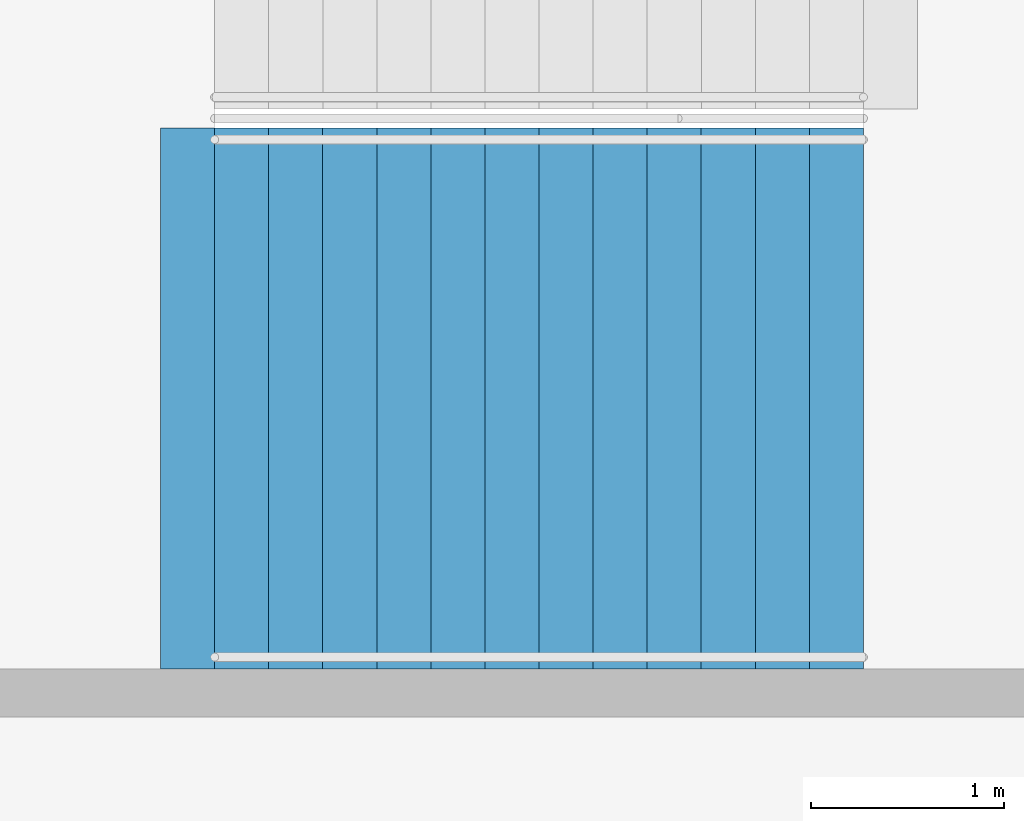
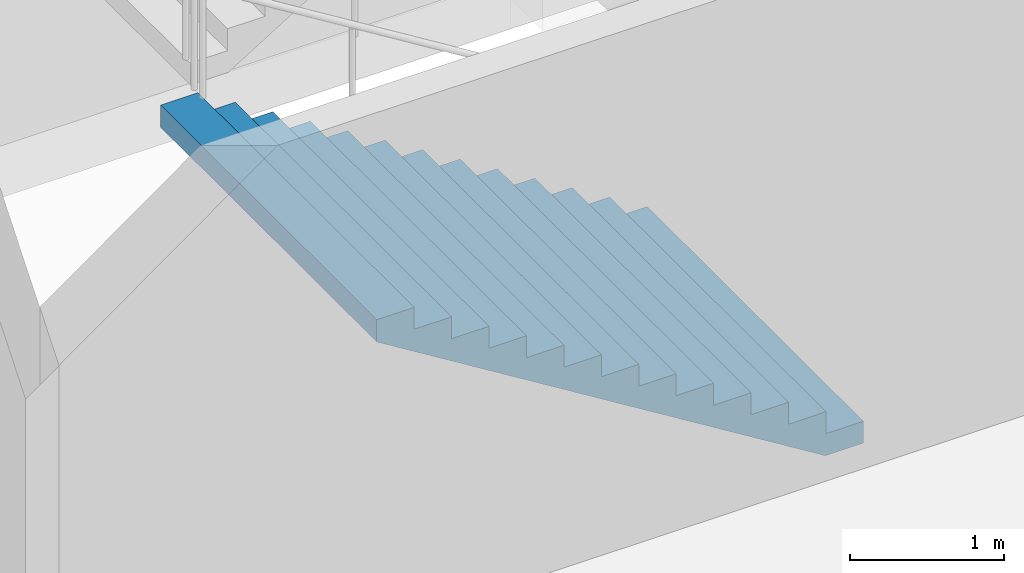
# One storey, part 151 of 199: 1 stair flight, 1 element without a shape of its own.
"""IFC4 building model written with IfcOpenShell, lengths in metres."""

import ifcopenshell
import ifcopenshell.guid

model = None  # the IFC model being written
_history = None  # IfcOwnerHistory: only IFC2X3 demands one
_inside = {}  # id of a spatial element -> (the spatial element, [elements in it])
_under = {}  # id of a project, library or spatial element -> (it, [spatial elements below it])
_declared = {}  # id of a project -> (the project, [libraries it declares])
_typed = {}  # id of a type object -> (the type object, [elements of that type])
_made_of = {}  # id of a material, layer set ... -> (it, [elements and type objects made of it])


def new_model(schema):
    """Start an empty IFC model of exactly this schema.

    Asked for "IFC4X3", IfcOpenShell would pick the latest addendum, in which some entities
    have other attributes; the version numbers below select the first issue.
    IFC2X3 requires an IfcOwnerHistory on every rooted entity: one is made here for all.
    """
    global model, _history
    if schema == "IFC4X3":
        model = ifcopenshell.file(schema_version=(4, 3, 0, 0))
    else:
        model = ifcopenshell.file(schema=schema)
    _inside.clear()
    _under.clear()
    _declared.clear()
    _typed.clear()
    _made_of.clear()
    _history = None
    if model.schema == "IFC2X3":
        org = make("IfcOrganization", Name="unknown")
        user = make(
            "IfcPersonAndOrganization",
            ThePerson=make("IfcPerson", FamilyName="unknown"),
            TheOrganization=org,
        )
        app = make(
            "IfcApplication",
            ApplicationDeveloper=org,
            Version="unknown",
            ApplicationFullName="unknown",
            ApplicationIdentifier="unknown",
        )
        _history = make(
            "IfcOwnerHistory",
            OwningUser=user,
            OwningApplication=app,
            ChangeAction="ADDED",
            CreationDate=0,
        )
    return model


def make(cls, **values):
    """One entity of the class cls with the attributes given. An attribute that is None is left unset."""
    return model.create_entity(
        cls, **{name: value for name, value in values.items() if value is not None}
    )


def rooted(cls, **values):
    """An entity with a GlobalId (a new one), such as an element, a storey or a relation."""
    return make(cls, GlobalId=ifcopenshell.guid.new(), OwnerHistory=_history, **values)


def si_unit(unit_type, name, prefix=None):
    """IfcSIUnit, for example si_unit("LENGTHUNIT", "METRE", prefix="MILLI")."""
    return make("IfcSIUnit", UnitType=unit_type, Prefix=prefix, Name=name)


def assignment(units):
    """IfcUnitAssignment: the units of a project."""
    return None if units is None else make("IfcUnitAssignment", Units=units)


def point(xyz):
    """IfcCartesianPoint."""
    return None if xyz is None else make("IfcCartesianPoint", Coordinates=xyz)


def direction(xyz):
    """IfcDirection."""
    return None if xyz is None else make("IfcDirection", DirectionRatios=xyz)


def frame(location, z_axis=None, x_axis=None):
    """IfcAxis2Placement3D, a coordinate frame: its origin and axes. An axis left out is left unset."""
    return make(
        "IfcAxis2Placement3D",
        Location=point(location),
        Axis=direction(z_axis),
        RefDirection=direction(x_axis),
    )


def origin():
    """The frame at (0, 0, 0) with its axes left unset."""
    return frame((0.0, 0.0, 0.0))


def place(relative_to, where):
    """IfcLocalPlacement: puts the frame where relative to a parent placement (None: the world)."""
    return make(
        "IfcLocalPlacement", PlacementRelTo=relative_to, RelativePlacement=where
    )


def context(
    kind, dimensions, precision=None, world=None, true_north=None, identifier=None
):
    """IfcGeometricRepresentationContext, for example the 3D "Model" context."""
    return make(
        "IfcGeometricRepresentationContext",
        ContextIdentifier=identifier,
        ContextType=kind,
        CoordinateSpaceDimension=dimensions,
        Precision=precision,
        WorldCoordinateSystem=world,
        TrueNorth=true_north,
    )


def subcontext(parent, identifier, kind, view, scale=None):
    """IfcGeometricRepresentationSubContext, for example "Body" below "Model"."""
    return make(
        "IfcGeometricRepresentationSubContext",
        ContextIdentifier=identifier,
        ContextType=kind,
        ParentContext=parent,
        TargetScale=scale,
        TargetView=view,
    )


def project(units=None, contexts=None):
    """IfcProject with its units and contexts."""
    return rooted(
        "IfcProject",
        Name="project",
        RepresentationContexts=contexts,
        UnitsInContext=assignment(units),
    )


def spatial(cls, under=None, at=None, **own):
    """A site, building, storey or space (cls), placed at a placement, below another one or the project."""
    s = rooted(cls, ObjectPlacement=at, **own)
    if under is not None:
        _under.setdefault(under.id(), (under, []))[1].append(s)
    return s


def faces_of(points, faces, orient=None, outer=None):
    """IfcFace entities. A face is a list of loops; a loop is a list of indices into points, from 0.

    orient and outer hold one flag for each loop. By default every Orientation is true, the
    first loop of a face is its IfcFaceOuterBound and the others are IfcFaceBound.
    """
    made = []
    for i, loops in enumerate(faces):
        bounds = []
        for j, loop in enumerate(loops):
            is_outer = j == 0 if outer is None else outer[i][j]
            bounds.append(
                make(
                    "IfcFaceOuterBound" if is_outer else "IfcFaceBound",
                    Bound=make("IfcPolyLoop", Polygon=[points[k] for k in loop]),
                    Orientation=True if orient is None else orient[i][j],
                )
            )
        made.append(make("IfcFace", Bounds=bounds))
    return made


def faceted_brep(points, faces, orient=None, outer=None, voids=None):
    """IfcFacetedBrep: a solid bounded by flat faces; with voids (closed shells), ...WithVoids."""
    shared = [point(p) for p in points]
    hull = make("IfcClosedShell", CfsFaces=faces_of(shared, faces, orient, outer))
    if voids is None:
        return make("IfcFacetedBrep", Outer=hull)
    return make(
        "IfcFacetedBrepWithVoids",
        Outer=hull,
        Voids=[
            make(cls, CfsFaces=faces_of(shared, fs, o, b)) for cls, fs, o, b in voids
        ],
    )


def shape(context_of_items, identifier, shape_type, items):
    """IfcShapeRepresentation: the items that make up one representation, for example the "Body"."""
    return make(
        "IfcShapeRepresentation",
        ContextOfItems=context_of_items,
        RepresentationIdentifier=identifier,
        RepresentationType=shape_type,
        Items=items,
    )


def material(Name=None, Category=None):
    """IfcMaterial."""
    return make("IfcMaterial", Name=Name, Category=Category)


def made_of(thing, what):
    """Note that an element or type object is made of a material, layer set ...; save() writes the relation."""
    if what is not None:
        _made_of.setdefault(what.id(), (what, []))[1].append(thing)
    return thing


def type_object(cls, material=None, **own):
    """A type object (cls), such as IfcWallType, which elements share."""
    return made_of(rooted(cls, **own), material)


def element(
    cls,
    number,
    at=None,
    inside=None,
    cuts=None,
    type_object=None,
    material=None,
    context=None,
    identifier="Body",
    shape_type=None,
    held_by="IfcProductDefinitionShape",
    body=None,
    shapes=None,
    **own,
):
    """One element of the class cls, such as IfcWall. Its Tag is "e" and its number.

    at: its placement. inside: the storey or other place that contains it. cuts: it is an
    opening in that element (IfcRelVoidsElement). A single representation is given by context,
    identifier, shape_type and body (its items); several are given by shapes. held_by: the class
    of the entity that holds the representations. save() writes the other relations.
    """
    e = rooted(cls, Tag="e%d" % number, ObjectPlacement=at, **own)
    if body is not None:
        shapes = [shape(context, identifier, shape_type, body)]
    if shapes is not None:
        e.Representation = make(held_by, Representations=shapes)
    if inside is not None:
        _inside.setdefault(inside.id(), (inside, []))[1].append(e)
    if cuts is not None:
        rooted(
            "IfcRelVoidsElement", RelatingBuildingElement=cuts, RelatedOpeningElement=e
        )
    if type_object is not None:
        _typed.setdefault(type_object.id(), (type_object, []))[1].append(e)
    return made_of(e, material)


def aggregate(whole, parts):
    """IfcRelAggregates: a whole, such as a stair, and the parts it consists of."""
    return rooted("IfcRelAggregates", RelatingObject=whole, RelatedObjects=parts)


def save(model, path):
    """Write the relations noted so far, then the file.

    IfcRelAggregates (storeys below a building ...), IfcRelContainedInSpatialStructure (elements
    in a storey), IfcRelDefinesByType, IfcRelAssociatesMaterial and IfcRelDeclares: one each for
    every whole, place, type object, material and project.
    """
    for whole, parts in _under.values():
        aggregate(whole, parts)
    for where, things in _inside.values():
        rooted(
            "IfcRelContainedInSpatialStructure",
            RelatedElements=things,
            RelatingStructure=where,
        )
    for kind, things in _typed.values():
        rooted("IfcRelDefinesByType", RelatedObjects=things, RelatingType=kind)
    for what, things in _made_of.values():
        rooted("IfcRelAssociatesMaterial", RelatedObjects=things, RelatingMaterial=what)
    for by, libraries in _declared.values():
        rooted("IfcRelDeclares", RelatingContext=by, RelatedDefinitions=libraries)
    model.write(path)


model = new_model("IFC4")

# Units and contexts
model_context = context("Model", 3, precision=1e-05, world=origin(), true_north=direction((0.0, 1.0)))
body_context = subcontext(model_context, "Body", "Model", "MODEL_VIEW")
ifc_project = project(units=[si_unit("LENGTHUNIT", "METRE"), si_unit("AREAUNIT", "SQUARE_METRE"), si_unit("VOLUMEUNIT", "CUBIC_METRE"), si_unit("PLANEANGLEUNIT", "RADIAN"), si_unit("MASSUNIT", "GRAM", prefix="KILO")], contexts=[model_context])

# Site, building, storey
site_placement = place(None, origin())
site = spatial("IfcSite", under=ifc_project, at=site_placement, CompositionType="ELEMENT")
building_placement = place(site_placement, origin())
building = spatial("IfcBuilding", under=site, at=building_placement, Name="Ogive Plaza Stadium", CompositionType="ELEMENT")
storey_placement = place(building_placement, frame((0.0, 0.0, 9.0)))
storey = spatial("IfcBuildingStorey", under=building, at=storey_placement, Name="L02", CompositionType="ELEMENT", Elevation=9.0)

# Stair, stair flight
ifc_material_1 = material(Name="Concrete C40/50", Category="concrete")
stair_type = type_object("IfcStairType", Name="Exit stair", PredefinedType="STRAIGHT_RUN_STAIR", material=ifc_material_1)
stair_placement = place(storey_placement, origin())
stair = element("IfcStair", 1, at=stair_placement, inside=storey, type_object=stair_type, Name="Exit stair ST28B L02 to L03", PredefinedType="STRAIGHT_RUN_STAIR")
ifc_material_2 = material(Name="Concrete C40/50", Category="concrete")
stair_flight_type = type_object("IfcStairFlightType", Name="Exit stair flight", PredefinedType="STRAIGHT", material=ifc_material_2)
stair_flight_placement = place(storey_placement, frame((-76.35009765625, 48.074951171875, 0.0), z_axis=(0.0, 0.0, 1.0), x_axis=(-1.0, 0.0, 0.0)))
stair_flight = element("IfcStairFlight", 2, at=stair_flight_placement, type_object=stair_flight_type, Name="ST28B flight 1", NumberOfRisers=13, NumberOfTreads=12, PredefinedType="STRAIGHT", RiserHeight=0.173076923, TreadLength=0.28, context=body_context, shape_type="Brep", body=[
    faceted_brep([(0.28515625, -1.39990234375, 0.0), (3.639892578125, -1.39990234375, 2.07373046875), (3.639892578125, -1.39990234375, 2.25), (3.360107421875, -1.39990234375, 2.25), (3.360107421875, -1.39990234375, 2.076904296875), (3.080078125, -1.39990234375, 2.076904296875), (3.080078125, -1.39990234375, 1.90380859375), (2.800048828125, -1.39990234375, 1.90380859375), (2.800048828125, -1.39990234375, 1.730712890625), (2.52001953125, -1.39990234375, 1.730712890625), (2.52001953125, -1.39990234375, 1.5576171875), (2.239990234375, -1.39990234375, 1.5576171875), (2.239990234375, -1.39990234375, 1.384521484375), (1.9599609375, -1.39990234375, 1.384521484375), (1.9599609375, -1.39990234375, 1.21142578125), (1.679931640625, -1.39990234375, 1.21142578125), (1.679931640625, -1.39990234375, 1.03857421875), (1.39990234375, -1.39990234375, 1.03857421875), (1.39990234375, -1.39990234375, 0.865478515625), (1.1201171875, -1.39990234375, 0.865478515625), (1.1201171875, -1.39990234375, 0.6923828125), (0.840087890625, -1.39990234375, 0.6923828125), (0.840087890625, -1.39990234375, 0.519287109375), (0.56005859375, -1.39990234375, 0.519287109375), (0.56005859375, -1.39990234375, 0.34619140625), (0.280029296875, -1.39990234375, 0.34619140625), (0.280029296875, -1.39990234375, 0.173095703125), (0.0, -1.39990234375, 0.173095703125), (0.0, -1.39990234375, 0.0), (0.0, 1.39990234375, 0.0), (0.0, 1.39990234375, 0.173095703125), (0.280029296875, 1.39990234375, 0.173095703125), (0.280029296875, 1.39990234375, 0.34619140625), (0.56005859375, 1.39990234375, 0.34619140625), (0.56005859375, 1.39990234375, 0.519287109375), (0.840087890625, 1.39990234375, 0.519287109375), (0.840087890625, 1.39990234375, 0.6923828125), (1.1201171875, 1.39990234375, 0.6923828125), (1.1201171875, 1.39990234375, 0.865478515625), (1.39990234375, 1.39990234375, 0.865478515625), (1.39990234375, 1.39990234375, 1.03857421875), (1.679931640625, 1.39990234375, 1.03857421875), (1.679931640625, 1.39990234375, 1.21142578125), (1.9599609375, 1.39990234375, 1.21142578125), (1.9599609375, 1.39990234375, 1.384521484375), (2.239990234375, 1.39990234375, 1.384521484375), (2.239990234375, 1.39990234375, 1.5576171875), (2.52001953125, 1.39990234375, 1.5576171875), (2.52001953125, 1.39990234375, 1.730712890625), (2.800048828125, 1.39990234375, 1.730712890625), (2.800048828125, 1.39990234375, 1.90380859375), (3.080078125, 1.39990234375, 1.90380859375), (3.080078125, 1.39990234375, 2.076904296875), (3.360107421875, 1.39990234375, 2.076904296875), (3.360107421875, 1.39990234375, 2.25), (3.639892578125, 1.39990234375, 2.25), (3.639892578125, 1.39990234375, 2.07373046875), (0.28515625, 1.39990234375, 0.0), (0.28515625, -1.0888671875, 0.0), (3.639892578125, -1.0888671875, 2.07373046875), (0.28515625, -0.77783203125, 0.0), (3.639892578125, -0.77783203125, 2.07373046875), (0.28515625, -0.466796875, 0.0), (3.639892578125, -0.466796875, 2.07373046875), (0.28515625, -0.155517578125, 0.0), (3.639892578125, -0.155517578125, 2.07373046875), (0.28515625, 0.155517578125, 0.0), (3.639892578125, 0.155517578125, 2.07373046875), (0.28515625, 0.466796875, 0.0), (3.639892578125, 0.466796875, 2.07373046875), (0.28515625, 0.77783203125, 0.0), (3.639892578125, 0.77783203125, 2.07373046875), (0.28515625, 1.0888671875, 0.0), (3.639892578125, 1.0888671875, 2.07373046875), (3.639892578125, -1.0888671875, 2.25), (3.639892578125, -0.77783203125, 2.25), (3.639892578125, -0.466796875, 2.25), (3.639892578125, -0.155517578125, 2.25), (3.639892578125, 0.155517578125, 2.25), (3.639892578125, 0.466796875, 2.25), (3.639892578125, 0.77783203125, 2.25), (3.639892578125, 1.0888671875, 2.25), (3.360107421875, -1.0888671875, 2.25), (3.360107421875, -0.77783203125, 2.25), (3.360107421875, -0.466796875, 2.25), (3.360107421875, -0.155517578125, 2.25), (3.360107421875, 0.155517578125, 2.25), (3.360107421875, 0.466796875, 2.25), (3.360107421875, 0.77783203125, 2.25), (3.360107421875, 1.0888671875, 2.25), (3.360107421875, -1.0888671875, 2.076904296875), (3.360107421875, -0.77783203125, 2.076904296875), (3.360107421875, -0.466796875, 2.076904296875), (3.360107421875, -0.155517578125, 2.076904296875), (3.360107421875, 0.155517578125, 2.076904296875), (3.360107421875, 0.466796875, 2.076904296875), (3.360107421875, 0.77783203125, 2.076904296875), (3.360107421875, 1.0888671875, 2.076904296875), (3.080078125, -1.0888671875, 2.076904296875), (3.080078125, -0.77783203125, 2.076904296875), (3.080078125, -0.466796875, 2.076904296875), (3.080078125, -0.155517578125, 2.076904296875), (3.080078125, 0.155517578125, 2.076904296875), (3.080078125, 0.466796875, 2.076904296875), (3.080078125, 0.77783203125, 2.076904296875), (3.080078125, 1.0888671875, 2.076904296875), (3.080078125, -1.0888671875, 1.90380859375), (3.080078125, -0.77783203125, 1.90380859375), (3.080078125, -0.466796875, 1.90380859375), (3.080078125, -0.155517578125, 1.90380859375), (3.080078125, 0.155517578125, 1.90380859375), (3.080078125, 0.466796875, 1.90380859375), (3.080078125, 0.77783203125, 1.90380859375), (3.080078125, 1.0888671875, 1.90380859375), (2.800048828125, -1.0888671875, 1.90380859375), (2.800048828125, -0.77783203125, 1.90380859375), (2.800048828125, -0.466796875, 1.90380859375), (2.800048828125, -0.155517578125, 1.90380859375), (2.800048828125, 0.155517578125, 1.90380859375), (2.800048828125, 0.466796875, 1.90380859375), (2.800048828125, 0.77783203125, 1.90380859375), (2.800048828125, 1.0888671875, 1.90380859375), (2.800048828125, -1.0888671875, 1.730712890625), (2.800048828125, -0.77783203125, 1.730712890625), (2.800048828125, -0.466796875, 1.730712890625), (2.800048828125, -0.155517578125, 1.730712890625), (2.800048828125, 0.155517578125, 1.730712890625), (2.800048828125, 0.466796875, 1.730712890625), (2.800048828125, 0.77783203125, 1.730712890625), (2.800048828125, 1.0888671875, 1.730712890625), (2.52001953125, -1.0888671875, 1.730712890625), (2.52001953125, -0.77783203125, 1.730712890625), (2.52001953125, -0.466796875, 1.730712890625), (2.52001953125, -0.155517578125, 1.730712890625), (2.52001953125, 0.155517578125, 1.730712890625), (2.52001953125, 0.466796875, 1.730712890625), (2.52001953125, 0.77783203125, 1.730712890625), (2.52001953125, 1.0888671875, 1.730712890625), (2.52001953125, -1.0888671875, 1.5576171875), (2.52001953125, -0.77783203125, 1.5576171875), (2.52001953125, -0.466796875, 1.5576171875), (2.52001953125, -0.155517578125, 1.5576171875), (2.52001953125, 0.155517578125, 1.5576171875), (2.52001953125, 0.466796875, 1.5576171875), (2.52001953125, 0.77783203125, 1.5576171875), (2.52001953125, 1.0888671875, 1.5576171875), (2.239990234375, -1.0888671875, 1.5576171875), (2.239990234375, -0.77783203125, 1.5576171875), (2.239990234375, -0.466796875, 1.5576171875), (2.239990234375, -0.155517578125, 1.5576171875), (2.239990234375, 0.155517578125, 1.5576171875), (2.239990234375, 0.466796875, 1.5576171875), (2.239990234375, 0.77783203125, 1.5576171875), (2.239990234375, 1.0888671875, 1.5576171875), (2.239990234375, -1.0888671875, 1.384521484375), (2.239990234375, -0.77783203125, 1.384521484375), (2.239990234375, -0.466796875, 1.384521484375), (2.239990234375, -0.155517578125, 1.384521484375), (2.239990234375, 0.155517578125, 1.384521484375), (2.239990234375, 0.466796875, 1.384521484375), (2.239990234375, 0.77783203125, 1.384521484375), (2.239990234375, 1.0888671875, 1.384521484375), (1.9599609375, -1.0888671875, 1.384521484375), (1.9599609375, -0.77783203125, 1.384521484375), (1.9599609375, -0.466796875, 1.384521484375), (1.9599609375, -0.155517578125, 1.384521484375), (1.9599609375, 0.155517578125, 1.384521484375), (1.9599609375, 0.466796875, 1.384521484375), (1.9599609375, 0.77783203125, 1.384521484375), (1.9599609375, 1.0888671875, 1.384521484375), (1.9599609375, -1.0888671875, 1.21142578125), (1.9599609375, -0.77783203125, 1.21142578125), (1.9599609375, -0.466796875, 1.21142578125), (1.9599609375, -0.155517578125, 1.21142578125), (1.9599609375, 0.155517578125, 1.21142578125), (1.9599609375, 0.466796875, 1.21142578125), (1.9599609375, 0.77783203125, 1.21142578125), (1.9599609375, 1.0888671875, 1.21142578125), (1.679931640625, -1.0888671875, 1.21142578125), (1.679931640625, -0.77783203125, 1.21142578125), (1.679931640625, -0.466796875, 1.21142578125), (1.679931640625, -0.155517578125, 1.21142578125), (1.679931640625, 0.155517578125, 1.21142578125), (1.679931640625, 0.466796875, 1.21142578125), (1.679931640625, 0.77783203125, 1.21142578125), (1.679931640625, 1.0888671875, 1.21142578125), (1.679931640625, -1.0888671875, 1.03857421875), (1.679931640625, -0.77783203125, 1.03857421875), (1.679931640625, -0.466796875, 1.03857421875), (1.679931640625, -0.155517578125, 1.03857421875), (1.679931640625, 0.155517578125, 1.03857421875), (1.679931640625, 0.466796875, 1.03857421875), (1.679931640625, 0.77783203125, 1.03857421875), (1.679931640625, 1.0888671875, 1.03857421875), (1.39990234375, -1.0888671875, 1.03857421875), (1.39990234375, -0.77783203125, 1.03857421875), (1.39990234375, -0.466796875, 1.03857421875), (1.39990234375, -0.155517578125, 1.03857421875), (1.39990234375, 0.155517578125, 1.03857421875), (1.39990234375, 0.466796875, 1.03857421875), (1.39990234375, 0.77783203125, 1.03857421875), (1.39990234375, 1.0888671875, 1.03857421875), (1.39990234375, -1.0888671875, 0.865478515625), (1.39990234375, -0.77783203125, 0.865478515625), (1.39990234375, -0.466796875, 0.865478515625), (1.39990234375, -0.155517578125, 0.865478515625), (1.39990234375, 0.155517578125, 0.865478515625), (1.39990234375, 0.466796875, 0.865478515625), (1.39990234375, 0.77783203125, 0.865478515625), (1.39990234375, 1.0888671875, 0.865478515625), (1.1201171875, -1.0888671875, 0.865478515625), (1.1201171875, -0.77783203125, 0.865478515625), (1.1201171875, -0.466796875, 0.865478515625), (1.1201171875, -0.155517578125, 0.865478515625), (1.1201171875, 0.155517578125, 0.865478515625), (1.1201171875, 0.466796875, 0.865478515625), (1.1201171875, 0.77783203125, 0.865478515625), (1.1201171875, 1.0888671875, 0.865478515625), (1.1201171875, -1.0888671875, 0.6923828125), (1.1201171875, -0.77783203125, 0.6923828125), (1.1201171875, -0.466796875, 0.6923828125), (1.1201171875, -0.155517578125, 0.6923828125), (1.1201171875, 0.155517578125, 0.6923828125), (1.1201171875, 0.466796875, 0.6923828125), (1.1201171875, 0.77783203125, 0.6923828125), (1.1201171875, 1.0888671875, 0.6923828125), (0.840087890625, -1.0888671875, 0.6923828125), (0.840087890625, -0.77783203125, 0.6923828125), (0.840087890625, -0.466796875, 0.6923828125), (0.840087890625, -0.155517578125, 0.6923828125), (0.840087890625, 0.155517578125, 0.6923828125), (0.840087890625, 0.466796875, 0.6923828125), (0.840087890625, 0.77783203125, 0.6923828125), (0.840087890625, 1.0888671875, 0.6923828125), (0.840087890625, -1.0888671875, 0.519287109375), (0.840087890625, -0.77783203125, 0.519287109375), (0.840087890625, -0.466796875, 0.519287109375), (0.840087890625, -0.155517578125, 0.519287109375), (0.840087890625, 0.155517578125, 0.519287109375), (0.840087890625, 0.466796875, 0.519287109375), (0.840087890625, 0.77783203125, 0.519287109375), (0.840087890625, 1.0888671875, 0.519287109375), (0.56005859375, -1.0888671875, 0.519287109375), (0.56005859375, -0.77783203125, 0.519287109375), (0.56005859375, -0.466796875, 0.519287109375), (0.56005859375, -0.155517578125, 0.519287109375), (0.56005859375, 0.155517578125, 0.519287109375), (0.56005859375, 0.466796875, 0.519287109375), (0.56005859375, 0.77783203125, 0.519287109375), (0.56005859375, 1.0888671875, 0.519287109375), (0.56005859375, -1.0888671875, 0.34619140625), (0.56005859375, -0.77783203125, 0.34619140625), (0.56005859375, -0.466796875, 0.34619140625), (0.56005859375, -0.155517578125, 0.34619140625), (0.56005859375, 0.155517578125, 0.34619140625), (0.56005859375, 0.466796875, 0.34619140625), (0.56005859375, 0.77783203125, 0.34619140625), (0.56005859375, 1.0888671875, 0.34619140625), (0.280029296875, -1.0888671875, 0.34619140625), (0.280029296875, -0.77783203125, 0.34619140625), (0.280029296875, -0.466796875, 0.34619140625), (0.280029296875, -0.155517578125, 0.34619140625), (0.280029296875, 0.155517578125, 0.34619140625), (0.280029296875, 0.466796875, 0.34619140625), (0.280029296875, 0.77783203125, 0.34619140625), (0.280029296875, 1.0888671875, 0.34619140625), (0.280029296875, -1.0888671875, 0.173095703125), (0.280029296875, -0.77783203125, 0.173095703125), (0.280029296875, -0.466796875, 0.173095703125), (0.280029296875, -0.155517578125, 0.173095703125), (0.280029296875, 0.155517578125, 0.173095703125), (0.280029296875, 0.466796875, 0.173095703125), (0.280029296875, 0.77783203125, 0.173095703125), (0.280029296875, 1.0888671875, 0.173095703125), (0.0, -1.0888671875, 0.173095703125), (0.0, -0.77783203125, 0.173095703125), (0.0, -0.466796875, 0.173095703125), (0.0, -0.155517578125, 0.173095703125), (0.0, 0.155517578125, 0.173095703125), (0.0, 0.466796875, 0.173095703125), (0.0, 0.77783203125, 0.173095703125), (0.0, 1.0888671875, 0.173095703125), (0.0, -1.0888671875, 0.0), (0.0, -0.77783203125, 0.0), (0.0, -0.466796875, 0.0), (0.0, -0.155517578125, 0.0), (0.0, 0.155517578125, 0.0), (0.0, 0.466796875, 0.0), (0.0, 0.77783203125, 0.0), (0.0, 1.0888671875, 0.0)], [[[0, 1, 2, 3, 4, 5, 6, 7, 8, 9, 10, 11, 12, 13, 14, 15, 16, 17, 18, 19, 20, 21, 22, 23, 24, 25, 26, 27, 28]], [[29, 30, 31, 32, 33, 34, 35, 36, 37, 38, 39, 40, 41, 42, 43, 44, 45, 46, 47, 48, 49, 50, 51, 52, 53, 54, 55, 56, 57]], [[0, 58, 59, 1]], [[58, 60, 61, 59]], [[60, 62, 63, 61]], [[62, 64, 65, 63]], [[64, 66, 67, 65]], [[66, 68, 69, 67]], [[68, 70, 71, 69]], [[70, 72, 73, 71]], [[72, 57, 56, 73]], [[1, 59, 74, 2]], [[59, 61, 75, 74]], [[61, 63, 76, 75]], [[63, 65, 77, 76]], [[65, 67, 78, 77]], [[67, 69, 79, 78]], [[69, 71, 80, 79]], [[71, 73, 81, 80]], [[73, 56, 55, 81]], [[2, 74, 82, 3]], [[74, 75, 83, 82]], [[75, 76, 84, 83]], [[76, 77, 85, 84]], [[77, 78, 86, 85]], [[78, 79, 87, 86]], [[79, 80, 88, 87]], [[80, 81, 89, 88]], [[81, 55, 54, 89]], [[3, 82, 90, 4]], [[82, 83, 91, 90]], [[83, 84, 92, 91]], [[84, 85, 93, 92]], [[85, 86, 94, 93]], [[86, 87, 95, 94]], [[87, 88, 96, 95]], [[88, 89, 97, 96]], [[89, 54, 53, 97]], [[4, 90, 98, 5]], [[90, 91, 99, 98]], [[91, 92, 100, 99]], [[92, 93, 101, 100]], [[93, 94, 102, 101]], [[94, 95, 103, 102]], [[95, 96, 104, 103]], [[96, 97, 105, 104]], [[97, 53, 52, 105]], [[5, 98, 106, 6]], [[98, 99, 107, 106]], [[99, 100, 108, 107]], [[100, 101, 109, 108]], [[101, 102, 110, 109]], [[102, 103, 111, 110]], [[103, 104, 112, 111]], [[104, 105, 113, 112]], [[105, 52, 51, 113]], [[6, 106, 114, 7]], [[106, 107, 115, 114]], [[107, 108, 116, 115]], [[108, 109, 117, 116]], [[109, 110, 118, 117]], [[110, 111, 119, 118]], [[111, 112, 120, 119]], [[112, 113, 121, 120]], [[113, 51, 50, 121]], [[7, 114, 122, 8]], [[114, 115, 123, 122]], [[115, 116, 124, 123]], [[116, 117, 125, 124]], [[117, 118, 126, 125]], [[118, 119, 127, 126]], [[119, 120, 128, 127]], [[120, 121, 129, 128]], [[121, 50, 49, 129]], [[8, 122, 130, 9]], [[122, 123, 131, 130]], [[123, 124, 132, 131]], [[124, 125, 133, 132]], [[125, 126, 134, 133]], [[126, 127, 135, 134]], [[127, 128, 136, 135]], [[128, 129, 137, 136]], [[129, 49, 48, 137]], [[9, 130, 138, 10]], [[130, 131, 139, 138]], [[131, 132, 140, 139]], [[132, 133, 141, 140]], [[133, 134, 142, 141]], [[134, 135, 143, 142]], [[135, 136, 144, 143]], [[136, 137, 145, 144]], [[137, 48, 47, 145]], [[10, 138, 146, 11]], [[138, 139, 147, 146]], [[139, 140, 148, 147]], [[140, 141, 149, 148]], [[141, 142, 150, 149]], [[142, 143, 151, 150]], [[143, 144, 152, 151]], [[144, 145, 153, 152]], [[145, 47, 46, 153]], [[11, 146, 154, 12]], [[146, 147, 155, 154]], [[147, 148, 156, 155]], [[148, 149, 157, 156]], [[149, 150, 158, 157]], [[150, 151, 159, 158]], [[151, 152, 160, 159]], [[152, 153, 161, 160]], [[153, 46, 45, 161]], [[12, 154, 162, 13]], [[154, 155, 163, 162]], [[155, 156, 164, 163]], [[156, 157, 165, 164]], [[157, 158, 166, 165]], [[158, 159, 167, 166]], [[159, 160, 168, 167]], [[160, 161, 169, 168]], [[161, 45, 44, 169]], [[13, 162, 170, 14]], [[162, 163, 171, 170]], [[163, 164, 172, 171]], [[164, 165, 173, 172]], [[165, 166, 174, 173]], [[166, 167, 175, 174]], [[167, 168, 176, 175]], [[168, 169, 177, 176]], [[169, 44, 43, 177]], [[14, 170, 178, 15]], [[170, 171, 179, 178]], [[171, 172, 180, 179]], [[172, 173, 181, 180]], [[173, 174, 182, 181]], [[174, 175, 183, 182]], [[175, 176, 184, 183]], [[176, 177, 185, 184]], [[177, 43, 42, 185]], [[15, 178, 186, 16]], [[178, 179, 187, 186]], [[179, 180, 188, 187]], [[180, 181, 189, 188]], [[181, 182, 190, 189]], [[182, 183, 191, 190]], [[183, 184, 192, 191]], [[184, 185, 193, 192]], [[185, 42, 41, 193]], [[16, 186, 194, 17]], [[186, 187, 195, 194]], [[187, 188, 196, 195]], [[188, 189, 197, 196]], [[189, 190, 198, 197]], [[190, 191, 199, 198]], [[191, 192, 200, 199]], [[192, 193, 201, 200]], [[193, 41, 40, 201]], [[17, 194, 202, 18]], [[194, 195, 203, 202]], [[195, 196, 204, 203]], [[196, 197, 205, 204]], [[197, 198, 206, 205]], [[198, 199, 207, 206]], [[199, 200, 208, 207]], [[200, 201, 209, 208]], [[201, 40, 39, 209]], [[18, 202, 210, 19]], [[202, 203, 211, 210]], [[203, 204, 212, 211]], [[204, 205, 213, 212]], [[205, 206, 214, 213]], [[206, 207, 215, 214]], [[207, 208, 216, 215]], [[208, 209, 217, 216]], [[209, 39, 38, 217]], [[19, 210, 218, 20]], [[210, 211, 219, 218]], [[211, 212, 220, 219]], [[212, 213, 221, 220]], [[213, 214, 222, 221]], [[214, 215, 223, 222]], [[215, 216, 224, 223]], [[216, 217, 225, 224]], [[217, 38, 37, 225]], [[20, 218, 226, 21]], [[218, 219, 227, 226]], [[219, 220, 228, 227]], [[220, 221, 229, 228]], [[221, 222, 230, 229]], [[222, 223, 231, 230]], [[223, 224, 232, 231]], [[224, 225, 233, 232]], [[225, 37, 36, 233]], [[21, 226, 234, 22]], [[226, 227, 235, 234]], [[227, 228, 236, 235]], [[228, 229, 237, 236]], [[229, 230, 238, 237]], [[230, 231, 239, 238]], [[231, 232, 240, 239]], [[232, 233, 241, 240]], [[233, 36, 35, 241]], [[22, 234, 242, 23]], [[234, 235, 243, 242]], [[235, 236, 244, 243]], [[236, 237, 245, 244]], [[237, 238, 246, 245]], [[238, 239, 247, 246]], [[239, 240, 248, 247]], [[240, 241, 249, 248]], [[241, 35, 34, 249]], [[23, 242, 250, 24]], [[242, 243, 251, 250]], [[243, 244, 252, 251]], [[244, 245, 253, 252]], [[245, 246, 254, 253]], [[246, 247, 255, 254]], [[247, 248, 256, 255]], [[248, 249, 257, 256]], [[249, 34, 33, 257]], [[24, 250, 258, 25]], [[250, 251, 259, 258]], [[251, 252, 260, 259]], [[252, 253, 261, 260]], [[253, 254, 262, 261]], [[254, 255, 263, 262]], [[255, 256, 264, 263]], [[256, 257, 265, 264]], [[257, 33, 32, 265]], [[25, 258, 266, 26]], [[258, 259, 267, 266]], [[259, 260, 268, 267]], [[260, 261, 269, 268]], [[261, 262, 270, 269]], [[262, 263, 271, 270]], [[263, 264, 272, 271]], [[264, 265, 273, 272]], [[265, 32, 31, 273]], [[26, 266, 274, 27]], [[266, 267, 275, 274]], [[267, 268, 276, 275]], [[268, 269, 277, 276]], [[269, 270, 278, 277]], [[270, 271, 279, 278]], [[271, 272, 280, 279]], [[272, 273, 281, 280]], [[273, 31, 30, 281]], [[27, 274, 282, 28]], [[274, 275, 283, 282]], [[275, 276, 284, 283]], [[276, 277, 285, 284]], [[277, 278, 286, 285]], [[278, 279, 287, 286]], [[279, 280, 288, 287]], [[280, 281, 289, 288]], [[281, 30, 29, 289]], [[28, 282, 58, 0]], [[282, 283, 60, 58]], [[283, 284, 62, 60]], [[284, 285, 64, 62]], [[285, 286, 66, 64]], [[286, 287, 68, 66]], [[287, 288, 70, 68]], [[288, 289, 72, 70]], [[289, 29, 57, 72]]]),
])
aggregate(stair, [stair_flight])

save(model, "model.ifc")
